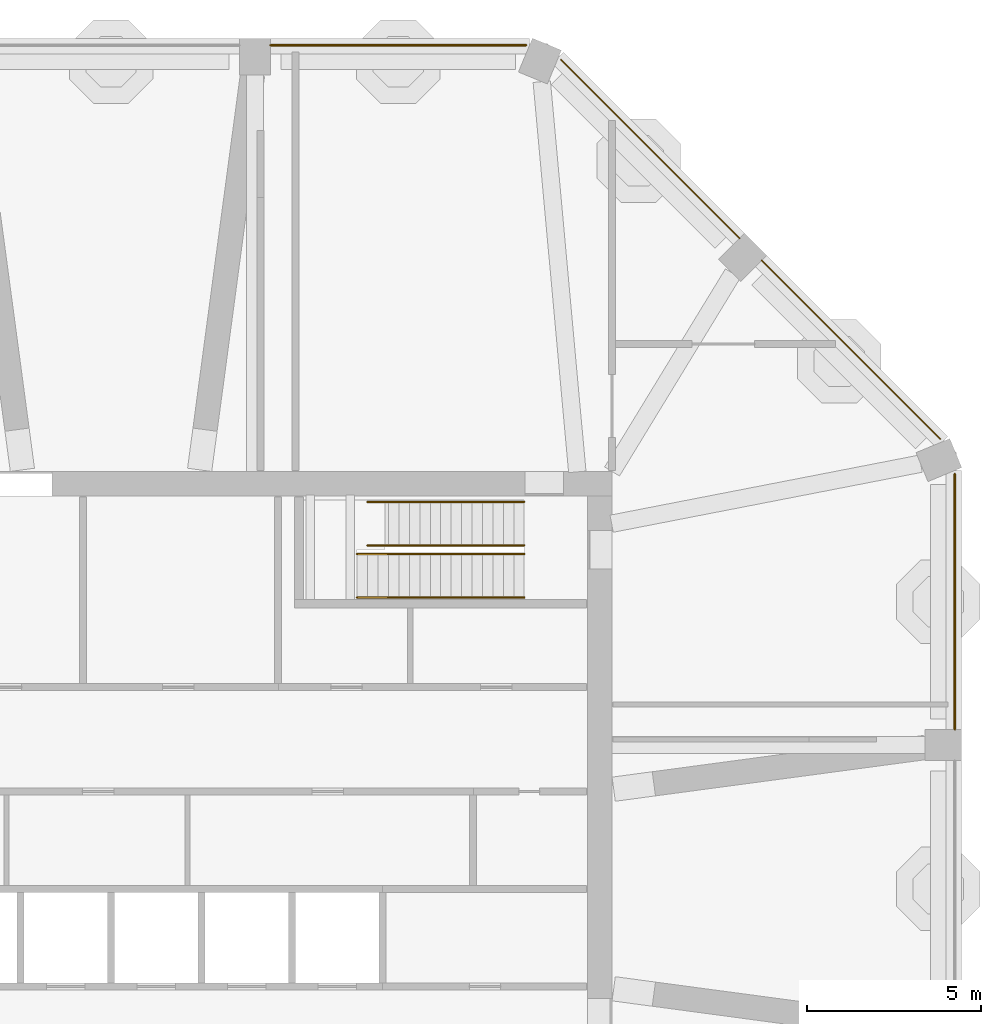
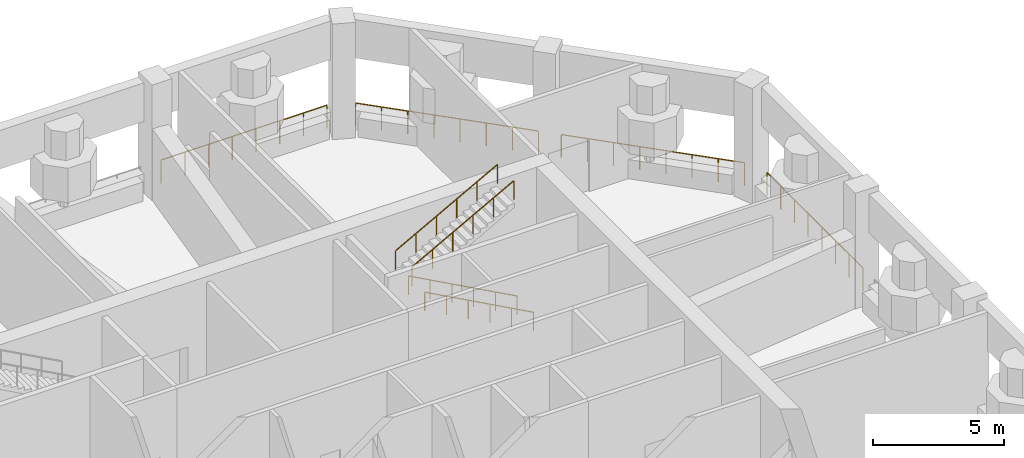
# One storey, part 8 of 9: 8 railings.
"""IFC4 building model written with IfcOpenShell, lengths in metres."""

from ifc_helpers import new_model, si_unit, direction, frame, origin, origin_2d, place, context, subcontext, project, spatial, circle, extrude, material, constituent, constituent_set, type_object, element, save


model = new_model("IFC4")

# Units and contexts
model_context = context("Model", 3, precision=1e-05, world=origin(), true_north=direction((0.0, 1.0)))
body_context = subcontext(model_context, "Body", "Model", "MODEL_VIEW")
ifc_project = project(units=[si_unit("LENGTHUNIT", "METRE"), si_unit("AREAUNIT", "SQUARE_METRE"), si_unit("VOLUMEUNIT", "CUBIC_METRE"), si_unit("PLANEANGLEUNIT", "RADIAN"), si_unit("MASSUNIT", "GRAM", prefix="KILO")], contexts=[model_context])

# Site, building, storey
site_placement = place(None, origin())
site = spatial("IfcSite", under=ifc_project, at=site_placement, CompositionType="ELEMENT")
building_placement = place(site_placement, origin())
building = spatial("IfcBuilding", under=site, at=building_placement, Name="Msitu Wima Residences", CompositionType="ELEMENT")
storey_placement = place(building_placement, frame((0.0, 0.0, 208.5)))
storey = spatial("IfcBuildingStorey", under=building, at=storey_placement, Name="L48", CompositionType="ELEMENT", Elevation=208.5)

# Railings
ifc_material_1 = material(Name="Steel S355", Category="steel")
ifc_constituent_1 = constituent(ifc_material_1, Name="Steel S355")
ifc_material_2 = material(Name="Black powder coating")
ifc_constituent_2 = constituent(ifc_material_2, Name="Black powder coating")
ifc_constituent_set_1 = constituent_set(constituents=[ifc_constituent_1, ifc_constituent_2], Name="Steel S355")
railing_type_1 = type_object("IfcRailingType", Name="Stair handrail HR1", PredefinedType="HANDRAIL", material=ifc_constituent_set_1)
for number, where, name in (
    (1, (11.875, 8.375, 0.16357421875), "Stair 3 handrail"),
    (2, (11.875, 9.625, 0.16357421875), "Stair 3 handrail"),
):
    element("IfcRailing", number, at=place(storey_placement, frame(where)), inside=storey, type_object=railing_type_1, Name=name, PredefinedType="HANDRAIL", context=body_context, shape_type="SweptSolid", body=[
        extrude(circle(Radius=0.02392578125, at=origin_2d()), frame((0.0, 0.0, 0.8759765625), z_axis=(-0.877898985768, 0.0, 0.478845873729), x_axis=(0.0, -1.0, 0.0)), (0.0, 0.0, 1.0), 5.4677734375),
        extrude(circle(Radius=0.02099609375, at=origin_2d()), origin(), (0.0, 0.0, 1.0), 0.851806640625),
        extrude(circle(Radius=0.02099609375, at=origin_2d()), frame((-0.9599609375, 0.0, 0.523681640625)), (0.0, 0.0, 1.0), 0.851806640625),
        extrude(circle(Radius=0.02099609375, at=origin_2d()), frame((-1.919921875, 0.0, 1.04736328125)), (0.0, 0.0, 1.0), 0.851806640625),
        extrude(circle(Radius=0.02099609375, at=origin_2d()), frame((-2.880126953125, 0.0, 1.57080078125)), (0.0, 0.0, 1.0), 0.851806640625),
        extrude(circle(Radius=0.02099609375, at=origin_2d()), frame((-3.840087890625, 0.0, 2.094482421875)), (0.0, 0.0, 1.0), 0.851806640625),
        extrude(circle(Radius=0.02099609375, at=origin_2d()), frame((-4.800048828125, 0.0, 2.6181640625)), (0.0, 0.0, 1.0), 0.851806640625),
    ])
for number, where, name in (
    (3, (7.375, 9.875, 2.945556640625), "Stair 3 handrail"),
    (4, (7.375, 11.125, 2.945556640625), "Stair 3 handrail"),
):
    element("IfcRailing", number, at=place(storey_placement, frame(where)), inside=storey, type_object=railing_type_1, Name=name, PredefinedType="HANDRAIL", context=body_context, shape_type="SweptSolid", body=[
        extrude(circle(Radius=0.02392578125, at=origin_2d()), frame((0.0, 0.0, 0.8759765625), z_axis=(0.877911954615, 0.0, 0.47882209634), x_axis=(0.0, 1.0, 0.0)), (0.0, 0.0, 1.0), 5.125732421875),
        extrude(circle(Radius=0.02099609375, at=origin_2d()), origin(), (0.0, 0.0, 1.0), 0.851806640625),
        extrude(circle(Radius=0.02099609375, at=origin_2d()), frame((0.89990234375, 0.0, 0.490966796875)), (0.0, 0.0, 1.0), 0.851806640625),
        extrude(circle(Radius=0.02099609375, at=origin_2d()), frame((1.800048828125, 0.0, 0.981689453125)), (0.0, 0.0, 1.0), 0.851806640625),
        extrude(circle(Radius=0.02099609375, at=origin_2d()), frame((2.699951171875, 0.0, 1.47265625)), (0.0, 0.0, 1.0), 0.851806640625),
        extrude(circle(Radius=0.02099609375, at=origin_2d()), frame((3.60009765625, 0.0, 1.96337890625)), (0.0, 0.0, 1.0), 0.851806640625),
        extrude(circle(Radius=0.02099609375, at=origin_2d()), frame((4.5, 0.0, 2.454345703125)), (0.0, 0.0, 1.0), 0.851806640625),
    ])
ifc_constituent_3 = constituent(ifc_material_1, Name="Steel S355")
ifc_material_3 = material(Name="Weathering patina")
ifc_constituent_4 = constituent(ifc_material_3, Name="Weathering patina")
ifc_constituent_set_2 = constituent_set(constituents=[ifc_constituent_3, ifc_constituent_4], Name="Steel S355")
railing_type_2 = type_object("IfcRailingType", Name="Terrace guard GR1100", PredefinedType="GUARDRAIL", material=ifc_constituent_set_2)
railing_1_placement = place(storey_placement, frame((24.25, 4.587158203125, 0.0)))
element("IfcRailing", 5, at=railing_1_placement, inside=storey, type_object=railing_type_2, Name="Refuge guard L48 E2", PredefinedType="GUARDRAIL", context=body_context, shape_type="SweptSolid", body=[
    extrude(circle(Radius=0.02392578125, at=origin_2d()), frame((0.0, 0.0, 1.076171875), z_axis=(0.0, 1.0, 0.0), x_axis=(-1.0, 0.0, 0.0)), (0.0, 0.0, 1.0), 7.337646484375),
    extrude(circle(Radius=0.02099609375, at=origin_2d()), origin(), (0.0, 0.0, 1.0), 1.052001953125),
    extrude(circle(Radius=0.02099609375, at=origin_2d()), frame((0.0, 1.04833984375, 0.0)), (0.0, 0.0, 1.0), 1.052001953125),
    extrude(circle(Radius=0.02099609375, at=origin_2d()), frame((0.0, 2.096435546875, 0.0)), (0.0, 0.0, 1.0), 1.052001953125),
    extrude(circle(Radius=0.02099609375, at=origin_2d()), frame((0.0, 3.144775390625, 0.0)), (0.0, 0.0, 1.0), 1.052001953125),
    extrude(circle(Radius=0.02099609375, at=origin_2d()), frame((0.0, 4.19287109375, 0.0)), (0.0, 0.0, 1.0), 1.052001953125),
    extrude(circle(Radius=0.02099609375, at=origin_2d()), frame((0.0, 5.2412109375, 0.0)), (0.0, 0.0, 1.0), 1.052001953125),
    extrude(circle(Radius=0.02099609375, at=origin_2d()), frame((0.0, 6.289306640625, 0.0)), (0.0, 0.0, 1.0), 1.052001953125),
    extrude(circle(Radius=0.02099609375, at=origin_2d()), frame((0.0, 7.337646484375, 0.0)), (0.0, 0.0, 1.0), 1.052001953125),
])
railing_2_placement = place(storey_placement, frame((23.832275390625, 12.932861328125, 0.0)))
element("IfcRailing", 6, at=railing_2_placement, inside=storey, type_object=railing_type_2, Name="Refuge guard L48 NE0", PredefinedType="GUARDRAIL", context=body_context, shape_type="SweptSolid", body=[
    extrude(circle(Radius=0.02392578125, at=origin_2d()), frame((0.0, 0.0, 1.076171875), z_axis=(-0.707089959929, 0.707123602044, 0.0), x_axis=(-0.707123602044, -0.707089959929, 0.0)), (0.0, 0.0, 1.0), 7.257080078125),
    extrude(circle(Radius=0.02099609375, at=origin_2d()), origin(), (0.0, 0.0, 1.0), 1.052001953125),
    extrude(circle(Radius=0.02099609375, at=origin_2d()), frame((-0.733154296875, 0.733154296875, 0.0)), (0.0, 0.0, 1.0), 1.052001953125),
    extrude(circle(Radius=0.02099609375, at=origin_2d()), frame((-1.466064453125, 1.466064453125, 0.0)), (0.0, 0.0, 1.0), 1.052001953125),
    extrude(circle(Radius=0.02099609375, at=origin_2d()), frame((-2.19921875, 2.19921875, 0.0)), (0.0, 0.0, 1.0), 1.052001953125),
    extrude(circle(Radius=0.02099609375, at=origin_2d()), frame((-2.93212890625, 2.932373046875, 0.0)), (0.0, 0.0, 1.0), 1.052001953125),
    extrude(circle(Radius=0.02099609375, at=origin_2d()), frame((-3.665283203125, 3.66552734375, 0.0)), (0.0, 0.0, 1.0), 1.052001953125),
    extrude(circle(Radius=0.02099609375, at=origin_2d()), frame((-4.398193359375, 4.3984375, 0.0)), (0.0, 0.0, 1.0), 1.052001953125),
    extrude(circle(Radius=0.02099609375, at=origin_2d()), frame((-5.13134765625, 5.131591796875, 0.0)), (0.0, 0.0, 1.0), 1.052001953125),
])
railing_3_placement = place(storey_placement, frame((18.064453125, 18.700927734375, 0.0)))
element("IfcRailing", 7, at=railing_3_placement, inside=storey, type_object=railing_type_2, Name="Refuge guard L48 NE1", PredefinedType="GUARDRAIL", context=body_context, shape_type="SweptSolid", body=[
    extrude(circle(Radius=0.02392578125, at=origin_2d()), frame((0.0, 0.0, 1.076171875), z_axis=(-0.707123602044, 0.707089959929, 0.0), x_axis=(-0.707089959929, -0.707123602044, 0.0)), (0.0, 0.0, 1.0), 7.257080078125),
    extrude(circle(Radius=0.02099609375, at=origin_2d()), origin(), (0.0, 0.0, 1.0), 1.052001953125),
    extrude(circle(Radius=0.02099609375, at=origin_2d()), frame((-0.733154296875, 0.733154296875, 0.0)), (0.0, 0.0, 1.0), 1.052001953125),
    extrude(circle(Radius=0.02099609375, at=origin_2d()), frame((-1.466064453125, 1.466064453125, 0.0)), (0.0, 0.0, 1.0), 1.052001953125),
    extrude(circle(Radius=0.02099609375, at=origin_2d()), frame((-2.19921875, 2.19921875, 0.0)), (0.0, 0.0, 1.0), 1.052001953125),
    extrude(circle(Radius=0.02099609375, at=origin_2d()), frame((-2.932373046875, 2.93212890625, 0.0)), (0.0, 0.0, 1.0), 1.052001953125),
    extrude(circle(Radius=0.02099609375, at=origin_2d()), frame((-3.66552734375, 3.665283203125, 0.0)), (0.0, 0.0, 1.0), 1.052001953125),
    extrude(circle(Radius=0.02099609375, at=origin_2d()), frame((-4.3984375, 4.398193359375, 0.0)), (0.0, 0.0, 1.0), 1.052001953125),
    extrude(circle(Radius=0.02099609375, at=origin_2d()), frame((-5.131591796875, 5.13134765625, 0.0)), (0.0, 0.0, 1.0), 1.052001953125),
])
railing_4_placement = place(storey_placement, frame((11.9248046875, 24.25, 0.0)))
element("IfcRailing", 8, at=railing_4_placement, inside=storey, type_object=railing_type_2, Name="Refuge guard L48 N0", PredefinedType="GUARDRAIL", context=body_context, shape_type="SweptSolid", body=[
    extrude(circle(Radius=0.02392578125, at=origin_2d()), frame((0.0, 0.0, 1.076171875), z_axis=(-1.0, 0.0, 0.0), x_axis=(0.0, -1.0, 0.0)), (0.0, 0.0, 1.0), 7.337646484375),
    extrude(circle(Radius=0.02099609375, at=origin_2d()), origin(), (0.0, 0.0, 1.0), 1.052001953125),
    extrude(circle(Radius=0.02099609375, at=origin_2d()), frame((-1.04833984375, 0.0, 0.0)), (0.0, 0.0, 1.0), 1.052001953125),
    extrude(circle(Radius=0.02099609375, at=origin_2d()), frame((-2.096435546875, 0.0, 0.0)), (0.0, 0.0, 1.0), 1.052001953125),
    extrude(circle(Radius=0.02099609375, at=origin_2d()), frame((-3.144775390625, 0.0, 0.0)), (0.0, 0.0, 1.0), 1.052001953125),
    extrude(circle(Radius=0.02099609375, at=origin_2d()), frame((-4.19287109375, 0.0, 0.0)), (0.0, 0.0, 1.0), 1.052001953125),
    extrude(circle(Radius=0.02099609375, at=origin_2d()), frame((-5.2412109375, 0.0, 0.0)), (0.0, 0.0, 1.0), 1.052001953125),
    extrude(circle(Radius=0.02099609375, at=origin_2d()), frame((-6.289306640625, 0.0, 0.0)), (0.0, 0.0, 1.0), 1.052001953125),
    extrude(circle(Radius=0.02099609375, at=origin_2d()), frame((-7.337646484375, 0.0, 0.0)), (0.0, 0.0, 1.0), 1.052001953125),
])

save(model, "model.ifc")
